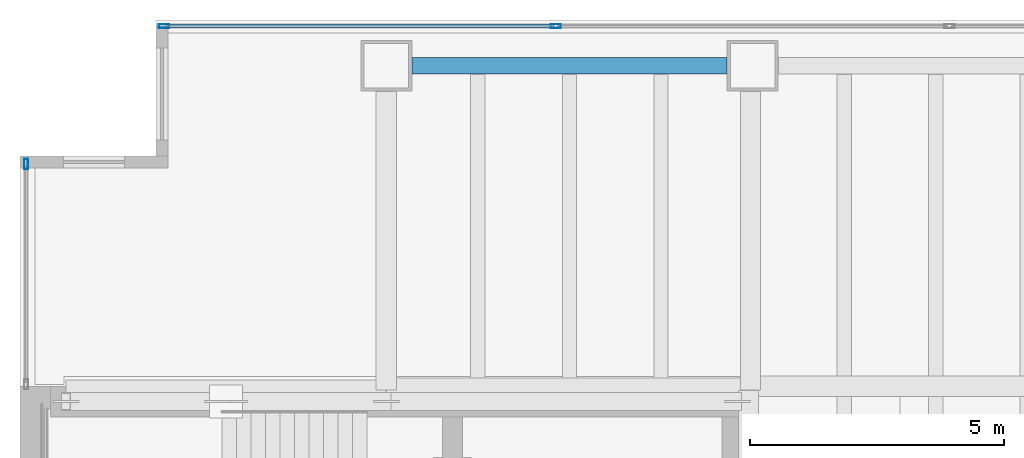
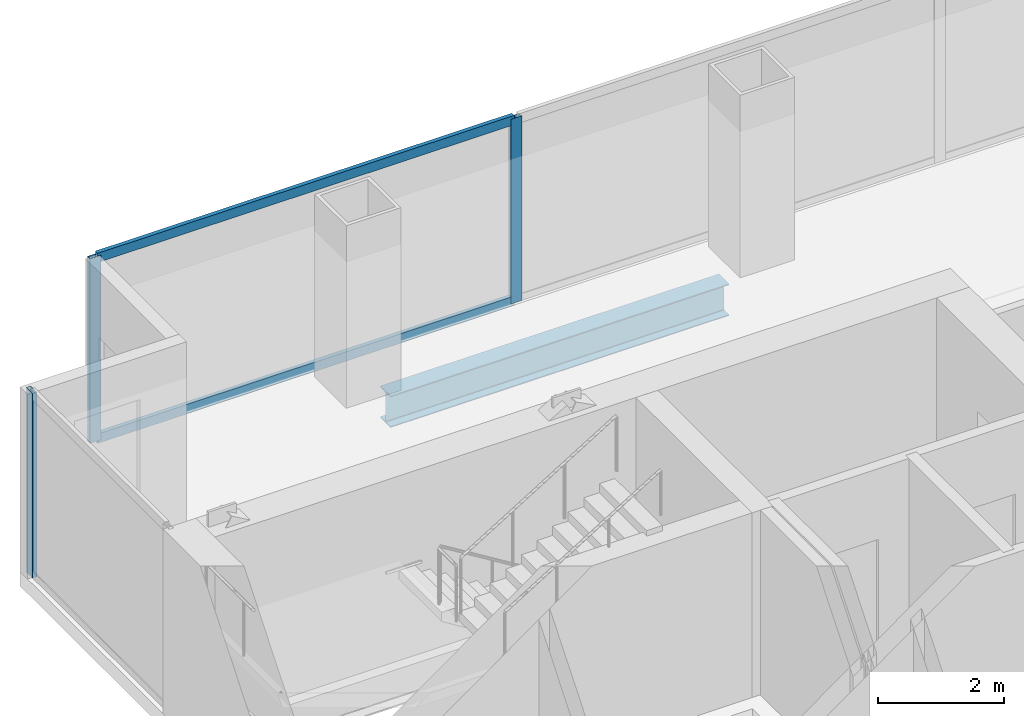
# One storey, part 16 of 23: 5 members, 1 beam, 2 elements without a shape of their own.
"""IFC4 building model written with IfcOpenShell, lengths in metres."""

from ifc_helpers import new_model, si_unit, direction, frame, origin, origin_2d, place, context, subcontext, project, spatial, hollow_rectangle, i_section, extrude, material, material_profile, profile_set, type_object, element, aggregate, save


model = new_model("IFC4")

# Units and contexts
model_context = context("Model", 3, precision=1e-05, world=origin(), true_north=direction((0.0, 1.0)))
body_context = subcontext(model_context, "Body", "Model", "MODEL_VIEW")
ifc_project = project(units=[si_unit("LENGTHUNIT", "METRE"), si_unit("AREAUNIT", "SQUARE_METRE"), si_unit("VOLUMEUNIT", "CUBIC_METRE"), si_unit("PLANEANGLEUNIT", "RADIAN"), si_unit("MASSUNIT", "GRAM", prefix="KILO")], contexts=[model_context])

# Site, building, storey
site_placement = place(None, origin())
site = spatial("IfcSite", under=ifc_project, at=site_placement, CompositionType="ELEMENT")
building_placement = place(site_placement, origin())
building = spatial("IfcBuilding", under=site, at=building_placement, Name="Cobrela Telecom Tower", CompositionType="ELEMENT")
storey_placement = place(building_placement, frame((0.0, 0.0, 50.39990234375)))
storey = spatial("IfcBuildingStorey", under=building, at=storey_placement, Name="L12", CompositionType="ELEMENT", Elevation=50.39990234375)

# Beam
ifc_material_1 = material(Name="Steel ASTM A992 Grade 50", Category="steel")
ifc_material_profile_1 = material_profile(ifc_material_1, i_section(OverallWidth=0.324951171875, OverallDepth=0.612060546875, WebThickness=0.0126953125, FlangeThickness=0.01904296875, FilletRadius=0.014892578125, at=origin_2d()), Name="W24X104")
ifc_profile_set_1 = profile_set([ifc_material_profile_1], Name="Steel ASTM A992 Grade 50")
beam_type = type_object("IfcBeamType", Name="BM-SPAND-02", PredefinedType="SPANDREL", material=ifc_profile_set_1)
beam_placement = place(storey_placement, frame((7.705078125, 42.300048828125, -0.5859375), z_axis=(1.0, 0.0, 0.0), x_axis=(0.0, 1.0, 0.0)))
element("IfcBeam", 1, at=beam_placement, inside=storey, type_object=beam_type, Name="L12 Perimeter Spandrel X29", PredefinedType="SPANDREL", context=body_context, shape_type="SweptSolid", body=[
    extrude(i_section(OverallWidth=0.324951171875, OverallDepth=0.612060546875, WebThickness=0.0126953125, FlangeThickness=0.01904296875, FilletRadius=0.014892578125, at=origin_2d()), origin(), (0.0, 0.0, 1.0), 6.18994140625),
])

# Curtain wall, member
ifc_material_2 = material(Name="Anodized Bronze Aluminium 6063-T6", Category="aluminium")
curtain_wall_type = type_object("IfcCurtainWallType", Name="CW-SYS-DATA", PredefinedType="USERDEFINED", material=ifc_material_2)
curtain_wall_1_placement = place(storey_placement, origin())
curtain_wall_1 = element("IfcCurtainWall", 2, at=curtain_wall_1_placement, inside=storey, type_object=curtain_wall_type, Name="L12 Unitised Bronze Curtain Wall 04", ObjectType="UNITISED CURTAIN WALL", PredefinedType="USERDEFINED")
ifc_material_profile_2 = material_profile(ifc_material_2, hollow_rectangle(XDim=0.080078125, YDim=0.199951171875, WallThickness=0.00390625, at=origin_2d()), Name="ALU 80x200x4")
ifc_profile_set_2 = profile_set([ifc_material_profile_2], Name="Anodized Bronze Aluminium 6063-T6")
member_type_1 = type_object("IfcMemberType", Name="CW-SYS-DATA-MUL", PredefinedType="MULLION", material=ifc_profile_set_2)
member_1_placement = place(storey_placement, frame((0.1201171875, 40.3701171875, 0.0), z_axis=(0.0, 0.0, 1.0), x_axis=(-1.0, 0.0, 0.0)))
member_1 = element("IfcMember", 3, at=member_1_placement, type_object=member_type_1, Name="CW-DATA mullion 2", PredefinedType="MULLION", context=body_context, shape_type="SweptSolid", body=[
    extrude(hollow_rectangle(XDim=0.080078125, YDim=0.199951171875, WallThickness=0.00390625, at=origin_2d()), origin(), (0.0, 0.0, 1.0), 3.570068359375),
])
aggregate(curtain_wall_1, [member_1])

# Curtain wall, members
curtain_wall_2_placement = place(storey_placement, origin())
curtain_wall_2 = element("IfcCurtainWall", 4, at=curtain_wall_2_placement, inside=storey, type_object=curtain_wall_type, Name="L12 Unitised Bronze Curtain Wall 07", ObjectType="UNITISED CURTAIN WALL", PredefinedType="USERDEFINED")
member_2_placement = place(storey_placement, frame((2.830078125, 43.080078125, 0.0), z_axis=(0.0, 0.0, 1.0), x_axis=(0.0, 1.0, 0.0)))
member_2 = element("IfcMember", 5, at=member_2_placement, type_object=member_type_1, Name="CW-DATA mullion 1", PredefinedType="MULLION", context=body_context, shape_type="SweptSolid", body=[
    extrude(hollow_rectangle(XDim=0.080078125, YDim=0.199951171875, WallThickness=0.00390625, at=origin_2d()), origin(), (0.0, 0.0, 1.0), 3.570068359375),
])
member_3_placement = place(storey_placement, frame((10.530029296875, 43.080078125, 0.0), z_axis=(0.0, 0.0, 1.0), x_axis=(0.0, 1.0, 0.0)))
member_3 = element("IfcMember", 6, at=member_3_placement, type_object=member_type_1, Name="CW-DATA mullion 2", PredefinedType="MULLION", context=body_context, shape_type="SweptSolid", body=[
    extrude(hollow_rectangle(XDim=0.080078125, YDim=0.199951171875, WallThickness=0.00390625, at=origin_2d()), origin(), (0.0, 0.0, 1.0), 3.570068359375),
])
ifc_material_profile_3 = material_profile(ifc_material_2, hollow_rectangle(XDim=0.074951171875, YDim=0.179931640625, WallThickness=0.00390625, at=origin_2d()), Name="ALU 75x180x4")
ifc_profile_set_3 = profile_set([ifc_material_profile_3], Name="Anodized Bronze Aluminium 6063-T6")
member_type_2 = type_object("IfcMemberType", Name="CW-SYS-DATA-TRN", PredefinedType="USERDEFINED", material=ifc_profile_set_3)
member_4_placement = place(storey_placement, frame((2.8701171875, 43.080078125, 0.03759765625), z_axis=(1.0, 0.0, 0.0), x_axis=(0.0, 1.0, 0.0)))
member_4 = element("IfcMember", 7, at=member_4_placement, type_object=member_type_2, Name="CW-DATA transom 1.1", ObjectType="TRANSOM", PredefinedType="USERDEFINED", context=body_context, shape_type="SweptSolid", body=[
    extrude(hollow_rectangle(XDim=0.074951171875, YDim=0.179931640625, WallThickness=0.00390625, at=origin_2d()), origin(), (0.0, 0.0, 1.0), 7.619873046875),
])
member_5_placement = place(storey_placement, frame((2.8701171875, 43.080078125, 3.53271484375), z_axis=(1.0, 0.0, 0.0), x_axis=(0.0, 1.0, 0.0)))
member_5 = element("IfcMember", 8, at=member_5_placement, type_object=member_type_2, Name="CW-DATA transom 1.2", ObjectType="TRANSOM", PredefinedType="USERDEFINED", context=body_context, shape_type="SweptSolid", body=[
    extrude(hollow_rectangle(XDim=0.074951171875, YDim=0.179931640625, WallThickness=0.00390625, at=origin_2d()), origin(), (0.0, 0.0, 1.0), 7.619873046875),
])
aggregate(curtain_wall_2, [member_2, member_3, member_4, member_5])

save(model, "model.ifc")
